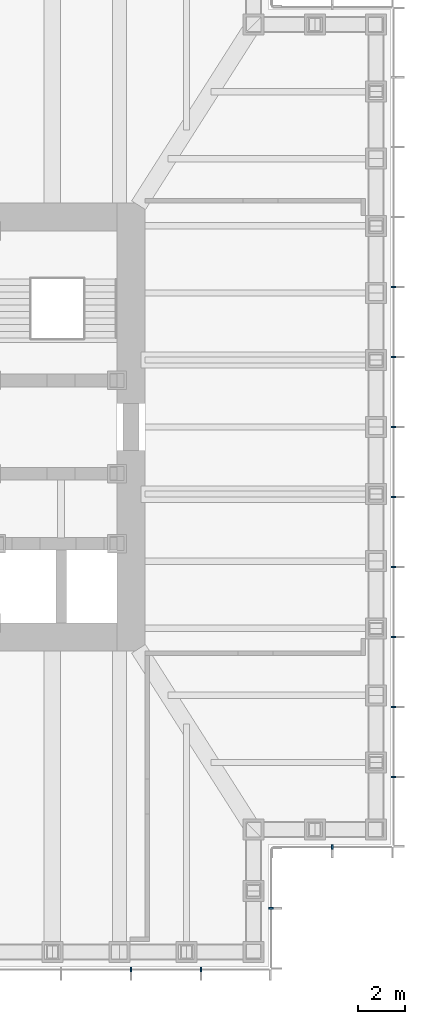
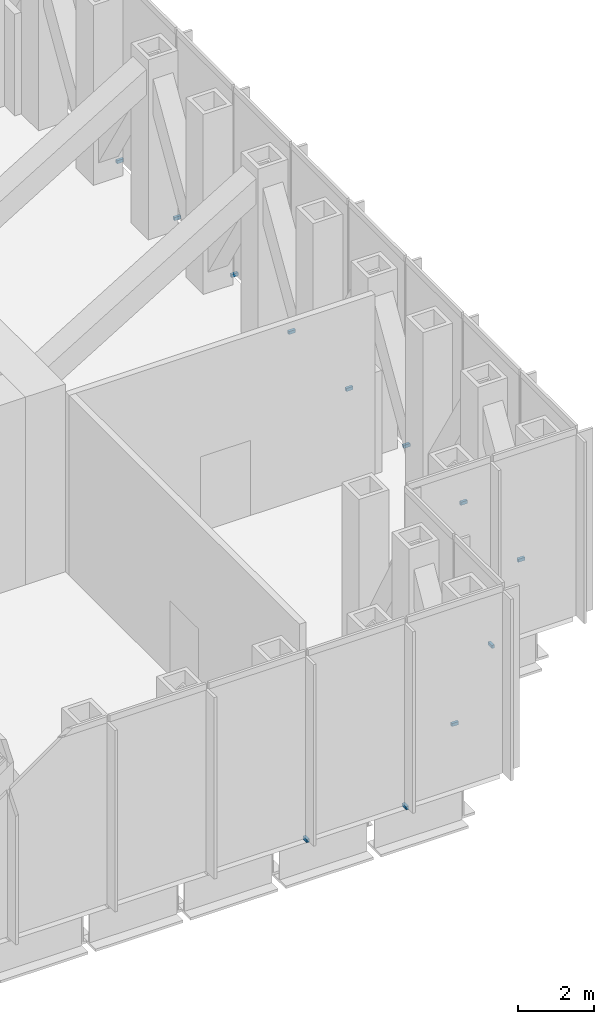
# One storey, part 10 of 13: 12 discrete accessories.
"""IFC4 building model written with IfcOpenShell, lengths in metres."""

from ifc_helpers import new_model, si_unit, direction, frame, origin, origin_2d, place, context, subcontext, project, spatial, rectangle, extrude, element, save


model = new_model("IFC4")

# Units and contexts
model_context = context("Model", 3, precision=1e-05, world=origin(), true_north=direction((0.0, 1.0)))
body_context = subcontext(model_context, "Body", "Model", "MODEL_VIEW")
ifc_project = project(units=[si_unit("LENGTHUNIT", "METRE"), si_unit("AREAUNIT", "SQUARE_METRE"), si_unit("VOLUMEUNIT", "CUBIC_METRE"), si_unit("PLANEANGLEUNIT", "RADIAN"), si_unit("MASSUNIT", "GRAM", prefix="KILO")], contexts=[model_context])

# Site, building, storey
site_placement = place(None, origin())
site = spatial("IfcSite", under=ifc_project, at=site_placement, CompositionType="ELEMENT")
building_placement = place(site_placement, origin())
building = spatial("IfcBuilding", under=site, at=building_placement, Name="Daluyong Arena Tower", CompositionType="ELEMENT")
storey_placement = place(building_placement, frame((0.0, 0.0, 175.300048828125)))
storey = spatial("IfcBuildingStorey", under=building, at=storey_placement, Name="L39", CompositionType="ELEMENT", Elevation=175.300048828125)

# Discrete accessories
for number, where, z_axis, x_axis, name in (
    (1, (68.0, 56.75, -0.10009765625), (0.0, 0.0, 1.0), (1.0, 0.0, 0.0), "curtain wall L39 S anchor bracket 11"),
    (2, (71.0, 56.75, -0.10009765625), (0.0, 0.0, 1.0), (1.0, 0.0, 0.0), "curtain wall L39 S anchor bracket 12"),
    (3, (74.0, 59.375, -0.10009765625), (0.0, 0.0, 1.0), (0.0, 1.0, 0.0), "curtain wall L39 SE-E anchor bracket 2"),
    (4, (76.625, 62.0, -0.10009765625), (0.0, 0.0, 1.0), (1.0, 0.0, 0.0), "curtain wall L39 SE-S anchor bracket 2"),
    (5, (79.25, 65.0, -0.10009765625), (0.0, 0.0, 1.0), (0.0, 1.0, 0.0), "curtain wall L39 E anchor bracket 2"),
    (6, (79.25, 68.0, -0.10009765625), (0.0, 0.0, 1.0), (0.0, 1.0, 0.0), "curtain wall L39 E anchor bracket 3"),
    (7, (79.25, 71.0, -0.10009765625), (0.0, 0.0, 1.0), (0.0, 1.0, 0.0), "curtain wall L39 E anchor bracket 4"),
    (8, (79.25, 74.0, -0.10009765625), (0.0, 0.0, 1.0), (0.0, 1.0, 0.0), "curtain wall L39 E anchor bracket 5"),
    (9, (79.25, 77.0, -0.10009765625), (0.0, 0.0, 1.0), (0.0, 1.0, 0.0), "curtain wall L39 E anchor bracket 6"),
    (10, (79.25, 80.0, -0.10009765625), (0.0, 0.0, 1.0), (0.0, 1.0, 0.0), "curtain wall L39 E anchor bracket 7"),
    (11, (79.25, 83.0, -0.10009765625), (0.0, 0.0, 1.0), (0.0, 1.0, 0.0), "curtain wall L39 E anchor bracket 8"),
    (12, (79.25, 86.0, -0.10009765625), (0.0, 0.0, 1.0), (0.0, 1.0, 0.0), "curtain wall L39 E anchor bracket 9"),
):
    element("IfcDiscreteAccessory", number, at=place(storey_placement, frame(where, z_axis=z_axis, x_axis=x_axis)), inside=storey, Name=name, PredefinedType="BRACKET", context=body_context, shape_type="SweptSolid", body=[
        extrude(rectangle(XDim=0.080078125, YDim=0.199951171875, at=origin_2d()), origin(), (0.0, 0.0, 1.0), 0.10009765625),
    ])

save(model, "model.ifc")
